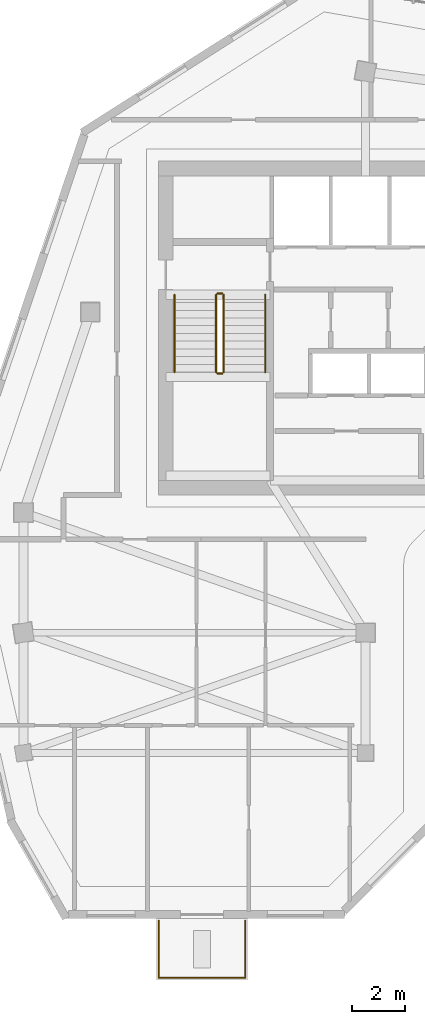
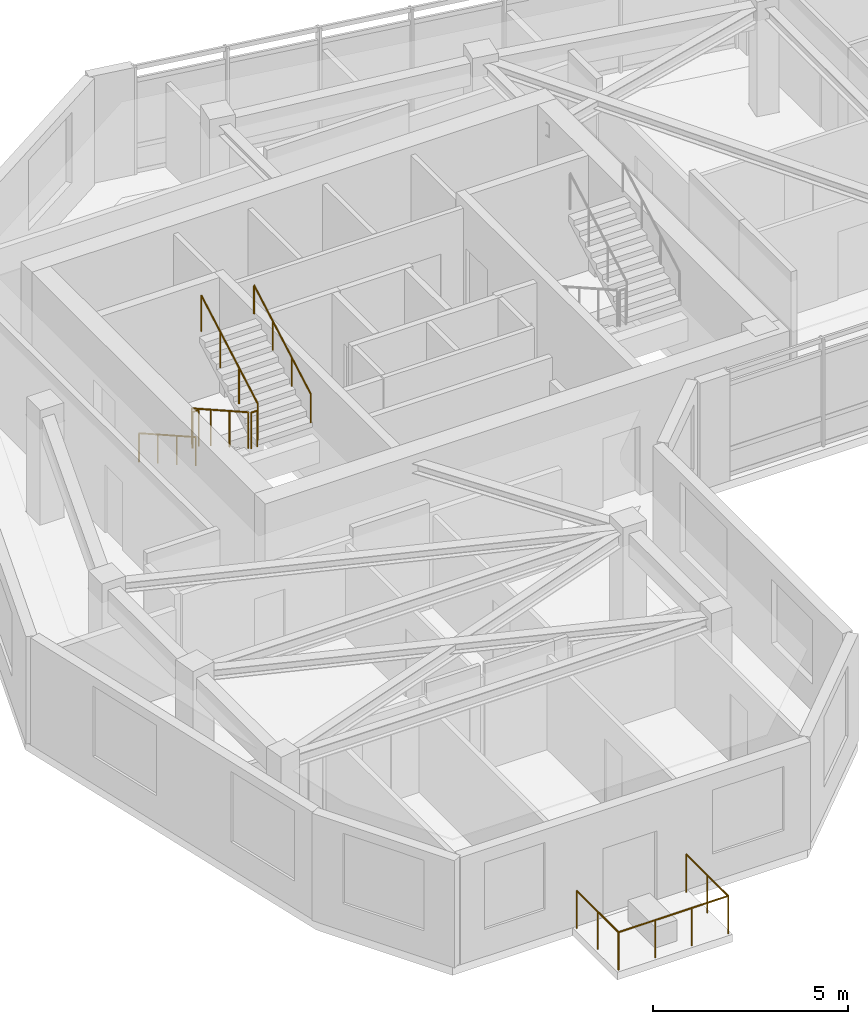
# One storey, part 8 of 10: 9 railings.
"""IFC4 building model written with IfcOpenShell, lengths in metres."""

from ifc_helpers import new_model, si_unit, direction, frame, origin, origin_2d, place, context, subcontext, project, spatial, circle, extrude, material, type_object, element, save


model = new_model("IFC4")

# Units and contexts
model_context = context("Model", 3, precision=1e-05, world=origin(), true_north=direction((0.0, 1.0)))
body_context = subcontext(model_context, "Body", "Model", "MODEL_VIEW")
ifc_project = project(units=[si_unit("LENGTHUNIT", "METRE"), si_unit("AREAUNIT", "SQUARE_METRE"), si_unit("VOLUMEUNIT", "CUBIC_METRE"), si_unit("PLANEANGLEUNIT", "RADIAN"), si_unit("MASSUNIT", "GRAM", prefix="KILO")], contexts=[model_context])

# Site, building, storey
site_placement = place(None, origin())
site = spatial("IfcSite", under=ifc_project, at=site_placement, CompositionType="ELEMENT")
building_placement = place(site_placement, origin())
building = spatial("IfcBuilding", under=site, at=building_placement, Name="Calvemar Wedge Station Tower", CompositionType="ELEMENT")
storey_placement = place(building_placement, frame((0.0, 0.0, 256.5)))
storey = spatial("IfcBuildingStorey", under=building, at=storey_placement, Name="L65", CompositionType="ELEMENT", Elevation=256.5)

# Railings
ifc_material_1 = material(Name="Stainless steel AISI 316L", Category="steel")
railing_type_1 = type_object("IfcRailingType", Name="GRD-TERR-1200", PredefinedType="GUARDRAIL", material=ifc_material_1)
railing_1_placement = place(storey_placement, frame((19.302001953125, 17.719970703125, 0.0)))
element("IfcRailing", 1, at=railing_1_placement, inside=storey, type_object=railing_type_1, Name="Storey L65 Spiral Terrace Guard 2", PredefinedType="GUARDRAIL", context=body_context, shape_type="SweptSolid", body=[
    extrude(circle(Radius=0.02392578125, at=origin_2d()), frame((0.0, 0.0, 1.17578125), z_axis=(0.0, -1.0, 0.0), x_axis=(1.0, 0.0, 0.0)), (0.0, 0.0, 1.0), 2.139892578125),
    extrude(circle(Radius=0.02099609375, at=origin_2d()), origin(), (0.0, 0.0, 1.0), 1.15185546875),
    extrude(circle(Radius=0.02099609375, at=origin_2d()), frame((0.0, -1.06982421875, 0.0)), (0.0, 0.0, 1.0), 1.15185546875),
    extrude(circle(Radius=0.02099609375, at=origin_2d()), frame((0.0, -2.139892578125, 0.0)), (0.0, 0.0, 1.0), 1.15185546875),
])
railing_2_placement = place(storey_placement, frame((19.302001953125, 15.580078125, 0.0)))
element("IfcRailing", 2, at=railing_2_placement, inside=storey, type_object=railing_type_1, Name="Storey L65 Spiral Terrace Guard 3", PredefinedType="GUARDRAIL", context=body_context, shape_type="SweptSolid", body=[
    extrude(circle(Radius=0.02392578125, at=origin_2d()), frame((0.0, 0.0, 1.17578125), z_axis=(-1.0, 0.0, 0.0), x_axis=(0.0, -1.0, 0.0)), (0.0, 0.0, 1.0), 3.239990234375),
    extrude(circle(Radius=0.02099609375, at=origin_2d()), origin(), (0.0, 0.0, 1.0), 1.15185546875),
    extrude(circle(Radius=0.02099609375, at=origin_2d()), frame((-1.080078125, 0.0, 0.0)), (0.0, 0.0, 1.0), 1.15185546875),
    extrude(circle(Radius=0.02099609375, at=origin_2d()), frame((-2.159912109375, 0.0, 0.0)), (0.0, 0.0, 1.0), 1.15185546875),
    extrude(circle(Radius=0.02099609375, at=origin_2d()), frame((-3.239990234375, 0.0, 0.0)), (0.0, 0.0, 1.0), 1.15185546875),
])
railing_3_placement = place(storey_placement, frame((16.06201171875, 15.580078125, 0.0)))
element("IfcRailing", 3, at=railing_3_placement, inside=storey, type_object=railing_type_1, Name="Storey L65 Spiral Terrace Guard 4", PredefinedType="GUARDRAIL", context=body_context, shape_type="SweptSolid", body=[
    extrude(circle(Radius=0.02392578125, at=origin_2d()), frame((0.0, 0.0, 1.17578125), z_axis=(0.0, 1.0, 0.0), x_axis=(-1.0, 0.0, 0.0)), (0.0, 0.0, 1.0), 2.139892578125),
    extrude(circle(Radius=0.02099609375, at=origin_2d()), origin(), (0.0, 0.0, 1.0), 1.15185546875),
    extrude(circle(Radius=0.02099609375, at=origin_2d()), frame((0.0, 1.06982421875, 0.0)), (0.0, 0.0, 1.0), 1.15185546875),
    extrude(circle(Radius=0.02099609375, at=origin_2d()), frame((0.0, 2.139892578125, 0.0)), (0.0, 0.0, 1.0), 1.15185546875),
])
railing_type_2 = type_object("IfcRailingType", Name="RL-HANDRAIL-920", PredefinedType="HANDRAIL", material=ifc_material_1)
railing_4_placement = place(storey_placement, frame((16.64990234375, 41.14990234375, 0.16357421875)))
element("IfcRailing", 4, at=railing_4_placement, inside=storey, type_object=railing_type_2, Name="L65 ST-C1 stair handrail 1", PredefinedType="HANDRAIL", context=body_context, shape_type="SweptSolid", body=[
    extrude(circle(Radius=0.02392578125, at=origin_2d()), frame((0.0, 0.0, 0.89599609375), z_axis=(0.0, -0.870897200241, 0.491465224214), x_axis=(1.0, 0.0, 0.0)), (0.0, 0.0, 1.0), 3.329833984375),
    extrude(circle(Radius=0.02099609375, at=origin_2d()), origin(), (0.0, 0.0, 1.0), 0.871826171875),
    extrude(circle(Radius=0.02099609375, at=origin_2d()), frame((0.0, -0.966552734375, 0.54541015625)), (0.0, 0.0, 1.0), 0.871826171875),
    extrude(circle(Radius=0.02099609375, at=origin_2d()), frame((0.0, -1.933349609375, 1.091064453125)), (0.0, 0.0, 1.0), 0.871826171875),
    extrude(circle(Radius=0.02099609375, at=origin_2d()), frame((0.0, -2.89990234375, 1.636474609375)), (0.0, 0.0, 1.0), 0.871826171875),
])
railing_5_placement = place(storey_placement, frame((20.050048828125, 38.25, 1.963623046875)))
element("IfcRailing", 5, at=railing_5_placement, inside=storey, type_object=railing_type_2, Name="L65 ST-C1 stair handrail 2", PredefinedType="HANDRAIL", context=body_context, shape_type="SweptSolid", body=[
    extrude(circle(Radius=0.02392578125, at=origin_2d()), frame((0.0, 0.0, 0.89599609375), z_axis=(0.0, 0.870897200241, 0.491465224214), x_axis=(-1.0, 0.0, 0.0)), (0.0, 0.0, 1.0), 3.329833984375),
    extrude(circle(Radius=0.02099609375, at=origin_2d()), origin(), (0.0, 0.0, 1.0), 0.871826171875),
    extrude(circle(Radius=0.02099609375, at=origin_2d()), frame((0.0, 0.966552734375, 0.54541015625)), (0.0, 0.0, 1.0), 0.871826171875),
    extrude(circle(Radius=0.02099609375, at=origin_2d()), frame((0.0, 1.933349609375, 1.091064453125)), (0.0, 0.0, 1.0), 0.871826171875),
    extrude(circle(Radius=0.02099609375, at=origin_2d()), frame((0.0, 2.89990234375, 1.636474609375)), (0.0, 0.0, 1.0), 0.871826171875),
])
ifc_material_2 = material(Name="Painted steel guardrail ASTM A500 Grade C", Category="steel")
railing_type_3 = type_object("IfcRailingType", Name="RL-STAIR-GUARD-1150", PredefinedType="GUARDRAIL", material=ifc_material_2)
railing_6_placement = place(storey_placement, frame((18.2099609375, 41.14990234375, 0.16357421875)))
element("IfcRailing", 6, at=railing_6_placement, inside=storey, type_object=railing_type_3, Name="L65 ST-C1 stair guard 1", PredefinedType="GUARDRAIL", context=body_context, shape_type="SweptSolid", body=[
    extrude(circle(Radius=0.02392578125, at=origin_2d()), frame((0.0, 0.0, 1.1259765625), z_axis=(0.0, -0.870897200241, 0.491465224214), x_axis=(1.0, 0.0, 0.0)), (0.0, 0.0, 1.0), 3.329833984375),
    extrude(circle(Radius=0.02099609375, at=origin_2d()), origin(), (0.0, 0.0, 1.0), 1.101806640625),
    extrude(circle(Radius=0.02099609375, at=origin_2d()), frame((0.0, -0.966552734375, 0.54541015625)), (0.0, 0.0, 1.0), 1.101806640625),
    extrude(circle(Radius=0.02099609375, at=origin_2d()), frame((0.0, -1.933349609375, 1.091064453125)), (0.0, 0.0, 1.0), 1.101806640625),
    extrude(circle(Radius=0.02099609375, at=origin_2d()), frame((0.0, -2.89990234375, 1.636474609375)), (0.0, 0.0, 1.0), 1.101806640625),
])
railing_7_placement = place(storey_placement, frame((18.260009765625, 38.199951171875, 1.800048828125)))
element("IfcRailing", 7, at=railing_7_placement, inside=storey, type_object=railing_type_3, Name="L65 ST-C1 stair guard 2", PredefinedType="GUARDRAIL", context=body_context, shape_type="SweptSolid", body=[
    extrude(circle(Radius=0.02392578125, at=origin_2d()), frame((0.0, 0.0, 1.1259765625), z_axis=(1.0, 0.0, 0.0), x_axis=(0.0, 1.0, 0.0)), (0.0, 0.0, 1.0), 0.179931640625),
    extrude(circle(Radius=0.02099609375, at=origin_2d()), origin(), (0.0, 0.0, 1.0), 1.101806640625),
    extrude(circle(Radius=0.02099609375, at=origin_2d()), frame((0.179931640625, 0.0, 0.0)), (0.0, 0.0, 1.0), 1.101806640625),
])
railing_8_placement = place(storey_placement, frame((18.489990234375, 38.25, 1.963623046875)))
element("IfcRailing", 8, at=railing_8_placement, inside=storey, type_object=railing_type_3, Name="L65 ST-C1 stair guard 3", PredefinedType="GUARDRAIL", context=body_context, shape_type="SweptSolid", body=[
    extrude(circle(Radius=0.02392578125, at=origin_2d()), frame((0.0, 0.0, 1.1259765625), z_axis=(0.0, 0.870897200241, 0.491465224214), x_axis=(-1.0, 0.0, 0.0)), (0.0, 0.0, 1.0), 3.329833984375),
    extrude(circle(Radius=0.02099609375, at=origin_2d()), origin(), (0.0, 0.0, 1.0), 1.101806640625),
    extrude(circle(Radius=0.02099609375, at=origin_2d()), frame((0.0, 0.966552734375, 0.54541015625)), (0.0, 0.0, 1.0), 1.101806640625),
    extrude(circle(Radius=0.02099609375, at=origin_2d()), frame((0.0, 1.933349609375, 1.091064453125)), (0.0, 0.0, 1.0), 1.101806640625),
    extrude(circle(Radius=0.02099609375, at=origin_2d()), frame((0.0, 2.89990234375, 1.636474609375)), (0.0, 0.0, 1.0), 1.101806640625),
])
railing_9_placement = place(storey_placement, frame((18.260009765625, 41.199951171875, 0.0)))
element("IfcRailing", 9, at=railing_9_placement, inside=storey, type_object=railing_type_3, Name="L65 ST-C1 stair guard 4", PredefinedType="GUARDRAIL", context=body_context, shape_type="SweptSolid", body=[
    extrude(circle(Radius=0.02392578125, at=origin_2d()), frame((0.0, 0.0, 1.1259765625), z_axis=(1.0, 0.0, 0.0), x_axis=(0.0, 1.0, 0.0)), (0.0, 0.0, 1.0), 0.179931640625),
    extrude(circle(Radius=0.02099609375, at=origin_2d()), origin(), (0.0, 0.0, 1.0), 1.101806640625),
    extrude(circle(Radius=0.02099609375, at=origin_2d()), frame((0.179931640625, 0.0, 0.0)), (0.0, 0.0, 1.0), 1.101806640625),
])

save(model, "model.ifc")
